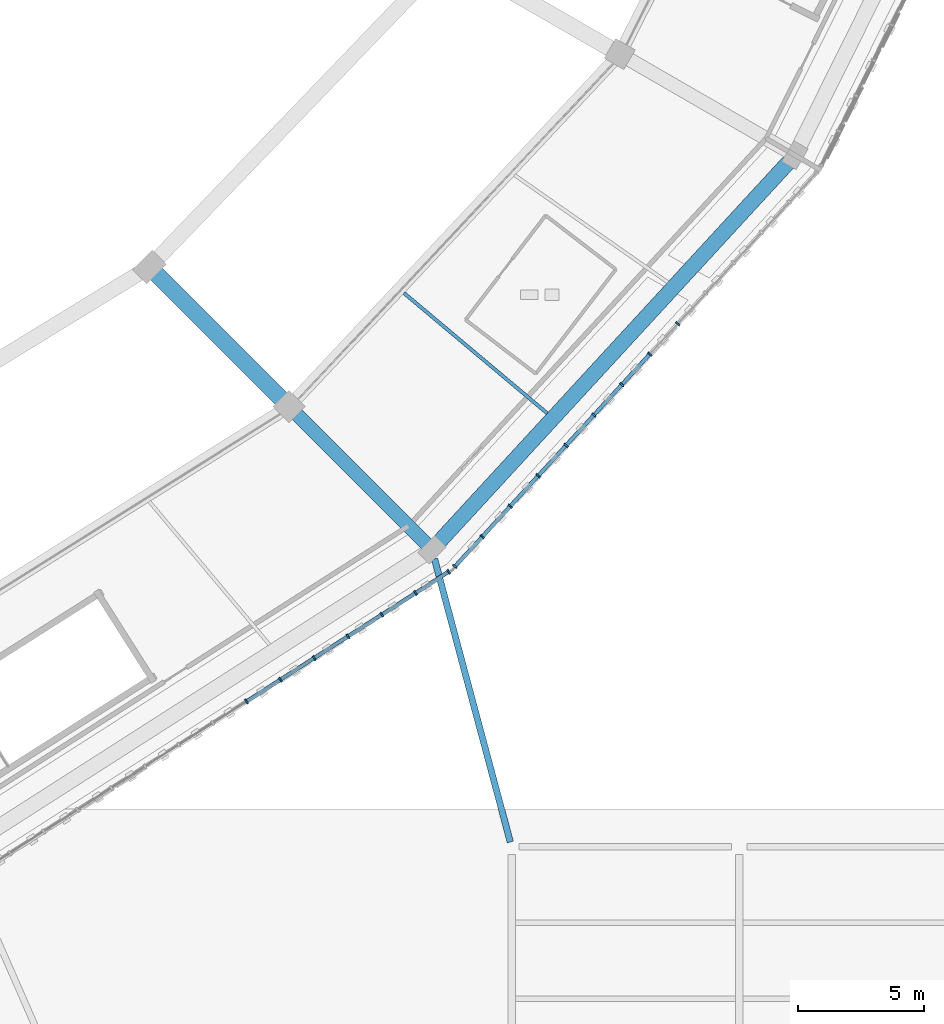
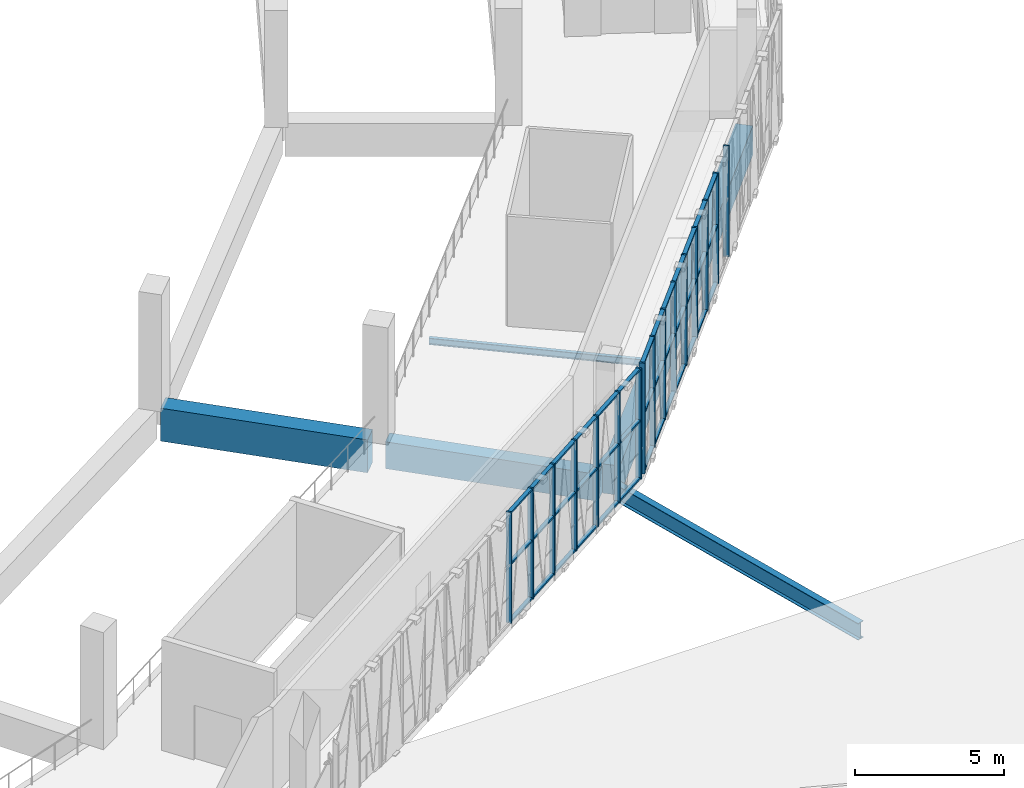
# One storey, part 23 of 108: 55 members, 5 beams, 2 elements without a shape of their own.
"""IFC4 building model written with IfcOpenShell, lengths in metres."""

from ifc_helpers import new_model, si_unit, direction, frame, origin, origin_2d, place, context, subcontext, project, spatial, rectangle, i_section, extrude, material, material_profile, profile_set, type_object, element, aggregate, save


model = new_model("IFC4")

# Units and contexts
model_context = context("Model", 3, precision=1e-05, world=origin(), true_north=direction((0.0, 1.0)))
body_context = subcontext(model_context, "Body", "Model", "MODEL_VIEW")
ifc_project = project(units=[si_unit("LENGTHUNIT", "METRE"), si_unit("AREAUNIT", "SQUARE_METRE"), si_unit("VOLUMEUNIT", "CUBIC_METRE"), si_unit("PLANEANGLEUNIT", "RADIAN"), si_unit("MASSUNIT", "GRAM", prefix="KILO")], contexts=[model_context])

# Site, building, storey
site_placement = place(None, origin())
site = spatial("IfcSite", under=ifc_project, at=site_placement, CompositionType="ELEMENT")
building_placement = place(site_placement, origin())
building = spatial("IfcBuilding", under=site, at=building_placement, Name="Zevraka Park Crest Stadium", CompositionType="ELEMENT")
storey_placement = place(building_placement, frame((0.0, 0.0, 19.800048828125)))
storey = spatial("IfcBuildingStorey", under=building, at=storey_placement, Name="L04", CompositionType="ELEMENT", Elevation=19.800048828125)

# Beams
ifc_material_1 = material(Name="Concrete C40/50", Category="concrete")
ifc_material_profile_1 = material_profile(ifc_material_1, rectangle(XDim=0.64990234375, YDim=1.35009765625, at=origin_2d()), Name="RC 1350x650")
ifc_profile_set_1 = profile_set([ifc_material_profile_1], Name="Concrete C40/50")
beam_type_1 = type_object("IfcBeamType", Name="BG01", PredefinedType="BEAM", material=ifc_profile_set_1)
beam_1_placement = place(storey_placement, frame((164.89111328125, 49.715087890625, -0.68505859375), z_axis=(0.707157639372, -0.707055919343, 0.0), x_axis=(0.707055919343, 0.707157639372, 0.0)))
element("IfcBeam", 1, at=beam_1_placement, inside=storey, type_object=beam_type_1, Name="Radial Girder BG01 L04-BC-21", PredefinedType="BEAM", context=body_context, shape_type="SweptSolid", body=[
    extrude(rectangle(XDim=0.64990234375, YDim=1.35009765625, at=origin_2d()), origin(), (0.0, 0.0, 1.0), 7.200439453125),
])
ifc_material_2 = material(Name="Concrete C40/50", Category="concrete")
ifc_material_profile_2 = material_profile(ifc_material_2, rectangle(XDim=0.550048828125, YDim=1.10009765625, at=origin_2d()), Name="RC 1100x550")
ifc_profile_set_2 = profile_set([ifc_material_profile_2], Name="Concrete C40/50")
beam_type_2 = type_object("IfcBeamType", Name="BG02", PredefinedType="BEAM", material=ifc_profile_set_2)
beam_2_placement = place(storey_placement, frame((170.406982421875, 44.199951171875, -0.56005859375), z_axis=(0.707106781187, -0.707106781187, 0.0), x_axis=(0.707106781187, 0.707106781187, 0.0)))
element("IfcBeam", 2, at=beam_2_placement, inside=storey, type_object=beam_type_2, Name="Radial Girder BG02 L04-CD-21", PredefinedType="BEAM", context=body_context, shape_type="SweptSolid", body=[
    extrude(rectangle(XDim=0.550048828125, YDim=1.10009765625, at=origin_2d()), origin(), (0.0, 0.0, 1.0), 7.400390625),
])
ifc_material_3 = material(Name="Steel S355", Category="steel")
ifc_material_profile_3 = material_profile(ifc_material_3, i_section(OverallWidth=0.253662109375, OverallDepth=0.68359375, WebThickness=0.012451171875, FlangeThickness=0.01904296875, at=origin_2d()), Name="UKB 686x254x140")
ifc_profile_set_3 = profile_set([ifc_material_profile_3], Name="Steel S355")
beam_type_3 = type_object("IfcBeamType", Name="BG05", PredefinedType="BEAM", material=ifc_profile_set_3)
beam_3_placement = place(storey_placement, frame((178.947998046875, 27.193115234375, -0.60986328125), z_axis=(-0.25869045552, 0.96596027259, 0.0), x_axis=(-0.96596027259, -0.25869045552, 0.0)))
element("IfcBeam", 3, at=beam_3_placement, inside=storey, type_object=beam_type_3, Name="Wing Link Girder BG05 L04-20/D", PredefinedType="BEAM", context=body_context, shape_type="SweptSolid", body=[
    extrude(i_section(OverallWidth=0.253662109375, OverallDepth=0.68359375, WebThickness=0.012451171875, FlangeThickness=0.01904296875, at=origin_2d()), origin(), (0.0, 0.0, 1.0), 11.58935546875),
])

# Curtain wall, members
ifc_material_4 = material(Name="Anodised architectural aluminium and laminated safety glass", Category="aluminium")
curtain_wall_type = type_object("IfcCurtainWallType", Name="CW18", PredefinedType="NOTDEFINED", material=ifc_material_4)
curtain_wall_1_placement = place(storey_placement, origin())
curtain_wall_1 = element("IfcCurtainWall", 4, at=curtain_wall_1_placement, inside=storey, type_object=curtain_wall_type, Name="Unitised Ring Curtain Wall CW18 L04-20", PredefinedType="NOTDEFINED")
ifc_material_5 = material(Name="Anodised architectural aluminium", Category="aluminium")
ifc_material_profile_4 = material_profile(ifc_material_5, rectangle(XDim=0.199951171875, YDim=0.070068359375, at=origin_2d()), Name="ALU MULLION 200x70")
ifc_profile_set_4 = profile_set([ifc_material_profile_4], Name="Anodised architectural aluminium")
member_type_1 = type_object("IfcMemberType", Name="CM03", PredefinedType="MULLION", material=ifc_profile_set_4)
member_1_placement = place(storey_placement, frame((168.518798828125, 32.752685546875, 0.0), z_axis=(0.0, 0.0, 1.0), x_axis=(-0.539979944029, 0.841677883781, 0.0)))
member_1 = element("IfcMember", 5, at=member_1_placement, type_object=member_type_1, Name="CW18 mullion 9", PredefinedType="MULLION", context=body_context, shape_type="SweptSolid", body=[
    extrude(rectangle(XDim=0.199951171875, YDim=0.070068359375, at=origin_2d()), origin(), (0.0, 0.0, 1.0), 4.5400390625),
])
member_2_placement = place(storey_placement, frame((169.85546875, 33.610107421875, 0.0), z_axis=(0.0, 0.0, 1.0), x_axis=(-0.539979944029, 0.841677883781, 0.0)))
member_2 = element("IfcMember", 6, at=member_2_placement, type_object=member_type_1, Name="CW18 mullion 10", PredefinedType="MULLION", context=body_context, shape_type="SweptSolid", body=[
    extrude(rectangle(XDim=0.199951171875, YDim=0.070068359375, at=origin_2d()), origin(), (0.0, 0.0, 1.0), 4.5400390625),
])
member_3_placement = place(storey_placement, frame((171.192138671875, 34.4677734375, 0.0), z_axis=(0.0, 0.0, 1.0), x_axis=(-0.539979944029, 0.841677883781, 0.0)))
member_3 = element("IfcMember", 7, at=member_3_placement, type_object=member_type_1, Name="CW18 mullion 11", PredefinedType="MULLION", context=body_context, shape_type="SweptSolid", body=[
    extrude(rectangle(XDim=0.199951171875, YDim=0.070068359375, at=origin_2d()), origin(), (0.0, 0.0, 1.0), 4.5400390625),
])
member_4_placement = place(storey_placement, frame((172.52880859375, 35.3251953125, 0.0), z_axis=(0.0, 0.0, 1.0), x_axis=(-0.539979944029, 0.841677883781, 0.0)))
member_4 = element("IfcMember", 8, at=member_4_placement, type_object=member_type_1, Name="CW18 mullion 12", PredefinedType="MULLION", context=body_context, shape_type="SweptSolid", body=[
    extrude(rectangle(XDim=0.199951171875, YDim=0.070068359375, at=origin_2d()), origin(), (0.0, 0.0, 1.0), 4.5400390625),
])
member_5_placement = place(storey_placement, frame((173.865478515625, 36.182861328125, 0.0), z_axis=(0.0, 0.0, 1.0), x_axis=(-0.539979944029, 0.841677883781, 0.0)))
member_5 = element("IfcMember", 9, at=member_5_placement, type_object=member_type_1, Name="CW18 mullion 13", PredefinedType="MULLION", context=body_context, shape_type="SweptSolid", body=[
    extrude(rectangle(XDim=0.199951171875, YDim=0.070068359375, at=origin_2d()), origin(), (0.0, 0.0, 1.0), 4.5400390625),
])
member_6_placement = place(storey_placement, frame((175.202392578125, 37.04052734375, 0.0), z_axis=(0.0, 0.0, 1.0), x_axis=(-0.539979944029, 0.841677883781, 0.0)))
member_6 = element("IfcMember", 10, at=member_6_placement, type_object=member_type_1, Name="CW18 mullion 14", PredefinedType="MULLION", context=body_context, shape_type="SweptSolid", body=[
    extrude(rectangle(XDim=0.199951171875, YDim=0.070068359375, at=origin_2d()), origin(), (0.0, 0.0, 1.0), 4.5400390625),
])
member_7_placement = place(storey_placement, frame((176.509521484375, 37.879150390625, 0.0), z_axis=(0.0, 0.0, 1.0), x_axis=(-0.539979944029, 0.841677883781, 0.0)))
member_7 = element("IfcMember", 11, at=member_7_placement, type_object=member_type_1, Name="CW18 mullion 15", PredefinedType="MULLION", context=body_context, shape_type="SweptSolid", body=[
    extrude(rectangle(XDim=0.199951171875, YDim=0.070068359375, at=origin_2d()), origin(), (0.0, 0.0, 1.0), 4.5400390625),
])

curtain_wall_2_placement = place(storey_placement, origin())
curtain_wall_2 = element("IfcCurtainWall", 12, at=curtain_wall_2_placement, inside=storey, type_object=curtain_wall_type, Name="Unitised Ring Curtain Wall CW18 L04-21", PredefinedType="NOTDEFINED")
member_8_placement = place(storey_placement, frame((176.759765625, 38.0888671875, 0.0), z_axis=(0.0, 0.0, 1.0), x_axis=(-0.736774619932, 0.676138417355, 0.0)))
member_8 = element("IfcMember", 13, at=member_8_placement, type_object=member_type_1, Name="CW18 mullion 1", PredefinedType="MULLION", context=body_context, shape_type="SweptSolid", body=[
    extrude(rectangle(XDim=0.199951171875, YDim=0.070068359375, at=origin_2d()), origin(), (0.0, 0.0, 1.0), 4.5400390625),
])
member_9_placement = place(storey_placement, frame((177.83984375, 39.265869140625, 0.0), z_axis=(0.0, 0.0, 1.0), x_axis=(-0.736774619932, 0.676138417355, 0.0)))
member_9 = element("IfcMember", 14, at=member_9_placement, type_object=member_type_1, Name="CW18 mullion 2", PredefinedType="MULLION", context=body_context, shape_type="SweptSolid", body=[
    extrude(rectangle(XDim=0.199951171875, YDim=0.070068359375, at=origin_2d()), origin(), (0.0, 0.0, 1.0), 4.5400390625),
])
member_10_placement = place(storey_placement, frame((178.94384765625, 40.46875, 0.0), z_axis=(0.0, 0.0, 1.0), x_axis=(-0.736774619932, 0.676138417355, 0.0)))
member_10 = element("IfcMember", 15, at=member_10_placement, type_object=member_type_1, Name="CW18 mullion 3", PredefinedType="MULLION", context=body_context, shape_type="SweptSolid", body=[
    extrude(rectangle(XDim=0.199951171875, YDim=0.070068359375, at=origin_2d()), origin(), (0.0, 0.0, 1.0), 4.5400390625),
])
member_11_placement = place(storey_placement, frame((180.0478515625, 41.671875, 0.0), z_axis=(0.0, 0.0, 1.0), x_axis=(-0.736774619932, 0.676138417355, 0.0)))
member_11 = element("IfcMember", 16, at=member_11_placement, type_object=member_type_1, Name="CW18 mullion 4", PredefinedType="MULLION", context=body_context, shape_type="SweptSolid", body=[
    extrude(rectangle(XDim=0.199951171875, YDim=0.070068359375, at=origin_2d()), origin(), (0.0, 0.0, 1.0), 4.5400390625),
])
member_12_placement = place(storey_placement, frame((181.151611328125, 42.874755859375, 0.0), z_axis=(0.0, 0.0, 1.0), x_axis=(-0.736774619932, 0.676138417355, 0.0)))
member_12 = element("IfcMember", 17, at=member_12_placement, type_object=member_type_1, Name="CW18 mullion 5", PredefinedType="MULLION", context=body_context, shape_type="SweptSolid", body=[
    extrude(rectangle(XDim=0.199951171875, YDim=0.070068359375, at=origin_2d()), origin(), (0.0, 0.0, 1.0), 4.5400390625),
])
member_13_placement = place(storey_placement, frame((182.255615234375, 44.07763671875, 0.0), z_axis=(0.0, 0.0, 1.0), x_axis=(-0.736774619932, 0.676138417355, 0.0)))
member_13 = element("IfcMember", 18, at=member_13_placement, type_object=member_type_1, Name="CW18 mullion 6", PredefinedType="MULLION", context=body_context, shape_type="SweptSolid", body=[
    extrude(rectangle(XDim=0.199951171875, YDim=0.070068359375, at=origin_2d()), origin(), (0.0, 0.0, 1.0), 4.5400390625),
])
member_14_placement = place(storey_placement, frame((183.359619140625, 45.280517578125, 0.0), z_axis=(0.0, 0.0, 1.0), x_axis=(-0.736774619932, 0.676138417355, 0.0)))
member_14 = element("IfcMember", 19, at=member_14_placement, type_object=member_type_1, Name="CW18 mullion 7", PredefinedType="MULLION", context=body_context, shape_type="SweptSolid", body=[
    extrude(rectangle(XDim=0.199951171875, YDim=0.070068359375, at=origin_2d()), origin(), (0.0, 0.0, 1.0), 4.5400390625),
])
member_15_placement = place(storey_placement, frame((184.46337890625, 46.4833984375, 0.0), z_axis=(0.0, 0.0, 1.0), x_axis=(-0.736774619932, 0.676138417355, 0.0)))
member_15 = element("IfcMember", 20, at=member_15_placement, type_object=member_type_1, Name="CW18 mullion 8", PredefinedType="MULLION", context=body_context, shape_type="SweptSolid", body=[
    extrude(rectangle(XDim=0.199951171875, YDim=0.070068359375, at=origin_2d()), origin(), (0.0, 0.0, 1.0), 4.5400390625),
])
member_16_placement = place(storey_placement, frame((185.5673828125, 47.686279296875, 0.0), z_axis=(0.0, 0.0, 1.0), x_axis=(-0.736774619932, 0.676138417355, 0.0)))
member_16 = element("IfcMember", 21, at=member_16_placement, type_object=member_type_1, Name="CW18 mullion 9", PredefinedType="MULLION", context=body_context, shape_type="SweptSolid", body=[
    extrude(rectangle(XDim=0.199951171875, YDim=0.070068359375, at=origin_2d()), origin(), (0.0, 0.0, 1.0), 4.5400390625),
])

# Member
ifc_material_6 = material(Name="Anodised architectural aluminium", Category="aluminium")
ifc_material_profile_5 = material_profile(ifc_material_6, rectangle(XDim=0.14990234375, YDim=0.070068359375, at=origin_2d()), Name="ALU TRANSOM 150x70")
ifc_profile_set_5 = profile_set([ifc_material_profile_5], Name="Anodised architectural aluminium")
member_type_2 = type_object("IfcMemberType", Name="CT03", PredefinedType="USERDEFINED", material=ifc_profile_set_5)
member_17_placement = place(storey_placement, frame((168.548095703125, 32.771484375, 0.034912109375), z_axis=(0.841669260565, 0.539993384978, 0.0), x_axis=(-0.539993384978, 0.841669260565, 0.0)))
member_17 = element("IfcMember", 22, at=member_17_placement, type_object=member_type_2, Name="CW18 transom 9.1", ObjectType="TRANSOM", PredefinedType="USERDEFINED", context=body_context, shape_type="SweptSolid", body=[
    extrude(rectangle(XDim=0.14990234375, YDim=0.070068359375, at=origin_2d()), origin(), (0.0, 0.0, 1.0), 1.518310546875),
])

member_18_placement = place(storey_placement, frame((168.548095703125, 32.771484375, 2.39990234375), z_axis=(0.841669260565, 0.539993384978, 0.0), x_axis=(-0.539993384978, 0.841669260565, 0.0)))
member_18 = element("IfcMember", 23, at=member_18_placement, type_object=member_type_2, Name="CW18 transom 9.2", ObjectType="TRANSOM", PredefinedType="USERDEFINED", context=body_context, shape_type="SweptSolid", body=[
    extrude(rectangle(XDim=0.14990234375, YDim=0.070068359375, at=origin_2d()), origin(), (0.0, 0.0, 1.0), 1.518310546875),
])

member_19_placement = place(storey_placement, frame((168.548095703125, 32.771484375, 4.5048828125), z_axis=(0.841669260565, 0.539993384978, 0.0), x_axis=(-0.539993384978, 0.841669260565, 0.0)))
member_19 = element("IfcMember", 24, at=member_19_placement, type_object=member_type_2, Name="CW18 transom 9.3", ObjectType="TRANSOM", PredefinedType="USERDEFINED", context=body_context, shape_type="SweptSolid", body=[
    extrude(rectangle(XDim=0.14990234375, YDim=0.070068359375, at=origin_2d()), origin(), (0.0, 0.0, 1.0), 1.518310546875),
])

member_20_placement = place(storey_placement, frame((169.884765625, 33.629150390625, 0.034912109375), z_axis=(0.841742345783, 0.539879452578, 0.0), x_axis=(-0.539879452578, 0.841742345783, 0.0)))
member_20 = element("IfcMember", 25, at=member_20_placement, type_object=member_type_2, Name="CW18 transom 10.1", ObjectType="TRANSOM", PredefinedType="USERDEFINED", context=body_context, shape_type="SweptSolid", body=[
    extrude(rectangle(XDim=0.14990234375, YDim=0.070068359375, at=origin_2d()), origin(), (0.0, 0.0, 1.0), 1.51806640625),
])

member_21_placement = place(storey_placement, frame((169.884765625, 33.629150390625, 2.39990234375), z_axis=(0.841742345783, 0.539879452578, 0.0), x_axis=(-0.539879452578, 0.841742345783, 0.0)))
member_21 = element("IfcMember", 26, at=member_21_placement, type_object=member_type_2, Name="CW18 transom 10.2", ObjectType="TRANSOM", PredefinedType="USERDEFINED", context=body_context, shape_type="SweptSolid", body=[
    extrude(rectangle(XDim=0.14990234375, YDim=0.070068359375, at=origin_2d()), origin(), (0.0, 0.0, 1.0), 1.51806640625),
])

member_22_placement = place(storey_placement, frame((169.884765625, 33.629150390625, 4.5048828125), z_axis=(0.841742345783, 0.539879452578, 0.0), x_axis=(-0.539879452578, 0.841742345783, 0.0)))
member_22 = element("IfcMember", 27, at=member_22_placement, type_object=member_type_2, Name="CW18 transom 10.3", ObjectType="TRANSOM", PredefinedType="USERDEFINED", context=body_context, shape_type="SweptSolid", body=[
    extrude(rectangle(XDim=0.14990234375, YDim=0.070068359375, at=origin_2d()), origin(), (0.0, 0.0, 1.0), 1.51806640625),
])

member_23_placement = place(storey_placement, frame((171.2216796875, 34.486572265625, 0.034912109375), z_axis=(0.841669260565, 0.539993384978, 0.0), x_axis=(-0.539993384978, 0.841669260565, 0.0)))
member_23 = element("IfcMember", 28, at=member_23_placement, type_object=member_type_2, Name="CW18 transom 11.1", ObjectType="TRANSOM", PredefinedType="USERDEFINED", context=body_context, shape_type="SweptSolid", body=[
    extrude(rectangle(XDim=0.14990234375, YDim=0.070068359375, at=origin_2d()), origin(), (0.0, 0.0, 1.0), 1.518310546875),
])

member_24_placement = place(storey_placement, frame((171.2216796875, 34.486572265625, 2.39990234375), z_axis=(0.841669260565, 0.539993384978, 0.0), x_axis=(-0.539993384978, 0.841669260565, 0.0)))
member_24 = element("IfcMember", 29, at=member_24_placement, type_object=member_type_2, Name="CW18 transom 11.2", ObjectType="TRANSOM", PredefinedType="USERDEFINED", context=body_context, shape_type="SweptSolid", body=[
    extrude(rectangle(XDim=0.14990234375, YDim=0.070068359375, at=origin_2d()), origin(), (0.0, 0.0, 1.0), 1.518310546875),
])

member_25_placement = place(storey_placement, frame((171.2216796875, 34.486572265625, 4.5048828125), z_axis=(0.841669260565, 0.539993384978, 0.0), x_axis=(-0.539993384978, 0.841669260565, 0.0)))
member_25 = element("IfcMember", 30, at=member_25_placement, type_object=member_type_2, Name="CW18 transom 11.3", ObjectType="TRANSOM", PredefinedType="USERDEFINED", context=body_context, shape_type="SweptSolid", body=[
    extrude(rectangle(XDim=0.14990234375, YDim=0.070068359375, at=origin_2d()), origin(), (0.0, 0.0, 1.0), 1.518310546875),
])

member_26_placement = place(storey_placement, frame((172.558349609375, 35.34423828125, 0.034912109375), z_axis=(0.841669260565, 0.539993384978, 0.0), x_axis=(-0.539993384978, 0.841669260565, 0.0)))
member_26 = element("IfcMember", 31, at=member_26_placement, type_object=member_type_2, Name="CW18 transom 12.1", ObjectType="TRANSOM", PredefinedType="USERDEFINED", context=body_context, shape_type="SweptSolid", body=[
    extrude(rectangle(XDim=0.14990234375, YDim=0.070068359375, at=origin_2d()), origin(), (0.0, 0.0, 1.0), 1.518310546875),
])

member_27_placement = place(storey_placement, frame((172.558349609375, 35.34423828125, 2.39990234375), z_axis=(0.841669260565, 0.539993384978, 0.0), x_axis=(-0.539993384978, 0.841669260565, 0.0)))
member_27 = element("IfcMember", 32, at=member_27_placement, type_object=member_type_2, Name="CW18 transom 12.2", ObjectType="TRANSOM", PredefinedType="USERDEFINED", context=body_context, shape_type="SweptSolid", body=[
    extrude(rectangle(XDim=0.14990234375, YDim=0.070068359375, at=origin_2d()), origin(), (0.0, 0.0, 1.0), 1.518310546875),
])

member_28_placement = place(storey_placement, frame((172.558349609375, 35.34423828125, 4.5048828125), z_axis=(0.841669260565, 0.539993384978, 0.0), x_axis=(-0.539993384978, 0.841669260565, 0.0)))
member_28 = element("IfcMember", 33, at=member_28_placement, type_object=member_type_2, Name="CW18 transom 12.3", ObjectType="TRANSOM", PredefinedType="USERDEFINED", context=body_context, shape_type="SweptSolid", body=[
    extrude(rectangle(XDim=0.14990234375, YDim=0.070068359375, at=origin_2d()), origin(), (0.0, 0.0, 1.0), 1.518310546875),
])

member_29_placement = place(storey_placement, frame((173.89501953125, 36.20166015625, 0.034912109375), z_axis=(0.841669260565, 0.539993384978, 0.0), x_axis=(-0.539993384978, 0.841669260565, 0.0)))
member_29 = element("IfcMember", 34, at=member_29_placement, type_object=member_type_2, Name="CW18 transom 13.1", ObjectType="TRANSOM", PredefinedType="USERDEFINED", context=body_context, shape_type="SweptSolid", body=[
    extrude(rectangle(XDim=0.14990234375, YDim=0.070068359375, at=origin_2d()), origin(), (0.0, 0.0, 1.0), 1.518310546875),
])

member_30_placement = place(storey_placement, frame((173.89501953125, 36.20166015625, 2.39990234375), z_axis=(0.841669260565, 0.539993384978, 0.0), x_axis=(-0.539993384978, 0.841669260565, 0.0)))
member_30 = element("IfcMember", 35, at=member_30_placement, type_object=member_type_2, Name="CW18 transom 13.2", ObjectType="TRANSOM", PredefinedType="USERDEFINED", context=body_context, shape_type="SweptSolid", body=[
    extrude(rectangle(XDim=0.14990234375, YDim=0.070068359375, at=origin_2d()), origin(), (0.0, 0.0, 1.0), 1.518310546875),
])

member_31_placement = place(storey_placement, frame((173.89501953125, 36.20166015625, 4.5048828125), z_axis=(0.841669260565, 0.539993384978, 0.0), x_axis=(-0.539993384978, 0.841669260565, 0.0)))
member_31 = element("IfcMember", 36, at=member_31_placement, type_object=member_type_2, Name="CW18 transom 13.3", ObjectType="TRANSOM", PredefinedType="USERDEFINED", context=body_context, shape_type="SweptSolid", body=[
    extrude(rectangle(XDim=0.14990234375, YDim=0.070068359375, at=origin_2d()), origin(), (0.0, 0.0, 1.0), 1.518310546875),
])

member_32_placement = place(storey_placement, frame((175.231689453125, 37.059326171875, 0.034912109375), z_axis=(0.84169690548, 0.539950293365, 0.0), x_axis=(-0.539950293365, 0.84169690548, 0.0)))
member_32 = element("IfcMember", 37, at=member_32_placement, type_object=member_type_2, Name="CW18 transom 14.1", ObjectType="TRANSOM", PredefinedType="USERDEFINED", context=body_context, shape_type="SweptSolid", body=[
    extrude(rectangle(XDim=0.14990234375, YDim=0.070068359375, at=origin_2d()), origin(), (0.0, 0.0, 1.0), 1.483154296875),
])

member_33_placement = place(storey_placement, frame((175.231689453125, 37.059326171875, 2.39990234375), z_axis=(0.84169690548, 0.539950293365, 0.0), x_axis=(-0.539950293365, 0.84169690548, 0.0)))
member_33 = element("IfcMember", 38, at=member_33_placement, type_object=member_type_2, Name="CW18 transom 14.2", ObjectType="TRANSOM", PredefinedType="USERDEFINED", context=body_context, shape_type="SweptSolid", body=[
    extrude(rectangle(XDim=0.14990234375, YDim=0.070068359375, at=origin_2d()), origin(), (0.0, 0.0, 1.0), 1.483154296875),
])

member_34_placement = place(storey_placement, frame((175.231689453125, 37.059326171875, 4.5048828125), z_axis=(0.84169690548, 0.539950293365, 0.0), x_axis=(-0.539950293365, 0.84169690548, 0.0)))
member_34 = element("IfcMember", 39, at=member_34_placement, type_object=member_type_2, Name="CW18 transom 14.3", ObjectType="TRANSOM", PredefinedType="USERDEFINED", context=body_context, shape_type="SweptSolid", body=[
    extrude(rectangle(XDim=0.14990234375, YDim=0.070068359375, at=origin_2d()), origin(), (0.0, 0.0, 1.0), 1.483154296875),
])

aggregate(curtain_wall_1, [member_1, member_2, member_3, member_4, member_5, member_6, member_7, member_17, member_18, member_19, member_20, member_21, member_22, member_23, member_24, member_25, member_26, member_27, member_28, member_29, member_30, member_31, member_32, member_33, member_34])

member_35_placement = place(storey_placement, frame((176.783447265625, 38.114501953125, 0.034912109375), z_axis=(0.67600681387, 0.736895370864, 0.0), x_axis=(-0.736895370864, 0.67600681387, 0.0)))
member_35 = element("IfcMember", 40, at=member_35_placement, type_object=member_type_2, Name="CW18 transom 1.1", ObjectType="TRANSOM", PredefinedType="USERDEFINED", context=body_context, shape_type="SweptSolid", body=[
    extrude(rectangle(XDim=0.14990234375, YDim=0.070068359375, at=origin_2d()), origin(), (0.0, 0.0, 1.0), 1.527587890625),
])

member_36_placement = place(storey_placement, frame((176.783447265625, 38.114501953125, 2.39990234375), z_axis=(0.67600681387, 0.736895370864, 0.0), x_axis=(-0.736895370864, 0.67600681387, 0.0)))
member_36 = element("IfcMember", 41, at=member_36_placement, type_object=member_type_2, Name="CW18 transom 1.2", ObjectType="TRANSOM", PredefinedType="USERDEFINED", context=body_context, shape_type="SweptSolid", body=[
    extrude(rectangle(XDim=0.14990234375, YDim=0.070068359375, at=origin_2d()), origin(), (0.0, 0.0, 1.0), 1.527587890625),
])

member_37_placement = place(storey_placement, frame((176.783447265625, 38.114501953125, 4.5048828125), z_axis=(0.67600681387, 0.736895370864, 0.0), x_axis=(-0.736895370864, 0.67600681387, 0.0)))
member_37 = element("IfcMember", 42, at=member_37_placement, type_object=member_type_2, Name="CW18 transom 1.3", ObjectType="TRANSOM", PredefinedType="USERDEFINED", context=body_context, shape_type="SweptSolid", body=[
    extrude(rectangle(XDim=0.14990234375, YDim=0.070068359375, at=origin_2d()), origin(), (0.0, 0.0, 1.0), 1.527587890625),
])

member_38_placement = place(storey_placement, frame((177.863525390625, 39.291748046875, 0.034912109375), z_axis=(0.67614898138, 0.736764925182, 0.0), x_axis=(-0.736764925182, 0.67614898138, 0.0)))
member_38 = element("IfcMember", 43, at=member_38_placement, type_object=member_type_2, Name="CW18 transom 2.1", ObjectType="TRANSOM", PredefinedType="USERDEFINED", context=body_context, shape_type="SweptSolid", body=[
    extrude(rectangle(XDim=0.14990234375, YDim=0.070068359375, at=origin_2d()), origin(), (0.0, 0.0, 1.0), 1.562744140625),
])

member_39_placement = place(storey_placement, frame((177.863525390625, 39.291748046875, 2.39990234375), z_axis=(0.67614898138, 0.736764925182, 0.0), x_axis=(-0.736764925182, 0.67614898138, 0.0)))
member_39 = element("IfcMember", 44, at=member_39_placement, type_object=member_type_2, Name="CW18 transom 2.2", ObjectType="TRANSOM", PredefinedType="USERDEFINED", context=body_context, shape_type="SweptSolid", body=[
    extrude(rectangle(XDim=0.14990234375, YDim=0.070068359375, at=origin_2d()), origin(), (0.0, 0.0, 1.0), 1.562744140625),
])

member_40_placement = place(storey_placement, frame((177.863525390625, 39.291748046875, 4.5048828125), z_axis=(0.67614898138, 0.736764925182, 0.0), x_axis=(-0.736764925182, 0.67614898138, 0.0)))
member_40 = element("IfcMember", 45, at=member_40_placement, type_object=member_type_2, Name="CW18 transom 2.3", ObjectType="TRANSOM", PredefinedType="USERDEFINED", context=body_context, shape_type="SweptSolid", body=[
    extrude(rectangle(XDim=0.14990234375, YDim=0.070068359375, at=origin_2d()), origin(), (0.0, 0.0, 1.0), 1.562744140625),
])

member_41_placement = place(storey_placement, frame((178.967529296875, 40.49462890625, 0.034912109375), z_axis=(0.67614898138, 0.736764925182, 0.0), x_axis=(-0.736764925182, 0.67614898138, 0.0)))
member_41 = element("IfcMember", 46, at=member_41_placement, type_object=member_type_2, Name="CW18 transom 3.1", ObjectType="TRANSOM", PredefinedType="USERDEFINED", context=body_context, shape_type="SweptSolid", body=[
    extrude(rectangle(XDim=0.14990234375, YDim=0.070068359375, at=origin_2d()), origin(), (0.0, 0.0, 1.0), 1.562744140625),
])

member_42_placement = place(storey_placement, frame((178.967529296875, 40.49462890625, 2.39990234375), z_axis=(0.67614898138, 0.736764925182, 0.0), x_axis=(-0.736764925182, 0.67614898138, 0.0)))
member_42 = element("IfcMember", 47, at=member_42_placement, type_object=member_type_2, Name="CW18 transom 3.2", ObjectType="TRANSOM", PredefinedType="USERDEFINED", context=body_context, shape_type="SweptSolid", body=[
    extrude(rectangle(XDim=0.14990234375, YDim=0.070068359375, at=origin_2d()), origin(), (0.0, 0.0, 1.0), 1.562744140625),
])

member_43_placement = place(storey_placement, frame((178.967529296875, 40.49462890625, 4.5048828125), z_axis=(0.67614898138, 0.736764925182, 0.0), x_axis=(-0.736764925182, 0.67614898138, 0.0)))
member_43 = element("IfcMember", 48, at=member_43_placement, type_object=member_type_2, Name="CW18 transom 3.3", ObjectType="TRANSOM", PredefinedType="USERDEFINED", context=body_context, shape_type="SweptSolid", body=[
    extrude(rectangle(XDim=0.14990234375, YDim=0.070068359375, at=origin_2d()), origin(), (0.0, 0.0, 1.0), 1.562744140625),
])

member_44_placement = place(storey_placement, frame((180.071533203125, 41.697509765625, 0.034912109375), z_axis=(0.676064164587, 0.73684275484, 0.0), x_axis=(-0.73684275484, 0.676064164587, 0.0)))
member_44 = element("IfcMember", 49, at=member_44_placement, type_object=member_type_2, Name="CW18 transom 4.1", ObjectType="TRANSOM", PredefinedType="USERDEFINED", context=body_context, shape_type="SweptSolid", body=[
    extrude(rectangle(XDim=0.14990234375, YDim=0.070068359375, at=origin_2d()), origin(), (0.0, 0.0, 1.0), 1.5625),
])

member_45_placement = place(storey_placement, frame((180.071533203125, 41.697509765625, 2.39990234375), z_axis=(0.676064164587, 0.73684275484, 0.0), x_axis=(-0.73684275484, 0.676064164587, 0.0)))
member_45 = element("IfcMember", 50, at=member_45_placement, type_object=member_type_2, Name="CW18 transom 4.2", ObjectType="TRANSOM", PredefinedType="USERDEFINED", context=body_context, shape_type="SweptSolid", body=[
    extrude(rectangle(XDim=0.14990234375, YDim=0.070068359375, at=origin_2d()), origin(), (0.0, 0.0, 1.0), 1.5625),
])

member_46_placement = place(storey_placement, frame((180.071533203125, 41.697509765625, 4.5048828125), z_axis=(0.676064164587, 0.73684275484, 0.0), x_axis=(-0.73684275484, 0.676064164587, 0.0)))
member_46 = element("IfcMember", 51, at=member_46_placement, type_object=member_type_2, Name="CW18 transom 4.3", ObjectType="TRANSOM", PredefinedType="USERDEFINED", context=body_context, shape_type="SweptSolid", body=[
    extrude(rectangle(XDim=0.14990234375, YDim=0.070068359375, at=origin_2d()), origin(), (0.0, 0.0, 1.0), 1.5625),
])

member_47_placement = place(storey_placement, frame((181.17529296875, 42.900390625, 0.034912109375), z_axis=(0.67614898138, 0.736764925182, 0.0), x_axis=(-0.736764925182, 0.67614898138, 0.0)))
member_47 = element("IfcMember", 52, at=member_47_placement, type_object=member_type_2, Name="CW18 transom 5.1", ObjectType="TRANSOM", PredefinedType="USERDEFINED", context=body_context, shape_type="SweptSolid", body=[
    extrude(rectangle(XDim=0.14990234375, YDim=0.070068359375, at=origin_2d()), origin(), (0.0, 0.0, 1.0), 1.562744140625),
])

member_48_placement = place(storey_placement, frame((181.17529296875, 42.900390625, 2.39990234375), z_axis=(0.67614898138, 0.736764925182, 0.0), x_axis=(-0.736764925182, 0.67614898138, 0.0)))
member_48 = element("IfcMember", 53, at=member_48_placement, type_object=member_type_2, Name="CW18 transom 5.2", ObjectType="TRANSOM", PredefinedType="USERDEFINED", context=body_context, shape_type="SweptSolid", body=[
    extrude(rectangle(XDim=0.14990234375, YDim=0.070068359375, at=origin_2d()), origin(), (0.0, 0.0, 1.0), 1.562744140625),
])

member_49_placement = place(storey_placement, frame((181.17529296875, 42.900390625, 4.5048828125), z_axis=(0.67614898138, 0.736764925182, 0.0), x_axis=(-0.736764925182, 0.67614898138, 0.0)))
member_49 = element("IfcMember", 54, at=member_49_placement, type_object=member_type_2, Name="CW18 transom 5.3", ObjectType="TRANSOM", PredefinedType="USERDEFINED", context=body_context, shape_type="SweptSolid", body=[
    extrude(rectangle(XDim=0.14990234375, YDim=0.070068359375, at=origin_2d()), origin(), (0.0, 0.0, 1.0), 1.562744140625),
])

member_50_placement = place(storey_placement, frame((182.279296875, 44.103515625, 0.034912109375), z_axis=(0.676226812884, 0.736693489544, 0.0), x_axis=(-0.736693489544, 0.676226812884, 0.0)))
member_50 = element("IfcMember", 55, at=member_50_placement, type_object=member_type_2, Name="CW18 transom 6.1", ObjectType="TRANSOM", PredefinedType="USERDEFINED", context=body_context, shape_type="SweptSolid", body=[
    extrude(rectangle(XDim=0.14990234375, YDim=0.070068359375, at=origin_2d()), origin(), (0.0, 0.0, 1.0), 1.5625),
])

member_51_placement = place(storey_placement, frame((182.279296875, 44.103515625, 2.39990234375), z_axis=(0.676226812884, 0.736693489544, 0.0), x_axis=(-0.736693489544, 0.676226812884, 0.0)))
member_51 = element("IfcMember", 56, at=member_51_placement, type_object=member_type_2, Name="CW18 transom 6.2", ObjectType="TRANSOM", PredefinedType="USERDEFINED", context=body_context, shape_type="SweptSolid", body=[
    extrude(rectangle(XDim=0.14990234375, YDim=0.070068359375, at=origin_2d()), origin(), (0.0, 0.0, 1.0), 1.5625),
])

member_52_placement = place(storey_placement, frame((182.279296875, 44.103515625, 4.5048828125), z_axis=(0.676226812884, 0.736693489544, 0.0), x_axis=(-0.736693489544, 0.676226812884, 0.0)))
member_52 = element("IfcMember", 57, at=member_52_placement, type_object=member_type_2, Name="CW18 transom 6.3", ObjectType="TRANSOM", PredefinedType="USERDEFINED", context=body_context, shape_type="SweptSolid", body=[
    extrude(rectangle(XDim=0.14990234375, YDim=0.070068359375, at=origin_2d()), origin(), (0.0, 0.0, 1.0), 1.5625),
])

member_53_placement = place(storey_placement, frame((183.38330078125, 45.306396484375, 0.034912109375), z_axis=(0.676064164587, 0.73684275484, 0.0), x_axis=(-0.73684275484, 0.676064164587, 0.0)))
member_53 = element("IfcMember", 58, at=member_53_placement, type_object=member_type_2, Name="CW18 transom 7.1", ObjectType="TRANSOM", PredefinedType="USERDEFINED", context=body_context, shape_type="SweptSolid", body=[
    extrude(rectangle(XDim=0.14990234375, YDim=0.070068359375, at=origin_2d()), origin(), (0.0, 0.0, 1.0), 1.5625),
])

member_54_placement = place(storey_placement, frame((183.38330078125, 45.306396484375, 2.39990234375), z_axis=(0.676064164587, 0.73684275484, 0.0), x_axis=(-0.73684275484, 0.676064164587, 0.0)))
member_54 = element("IfcMember", 59, at=member_54_placement, type_object=member_type_2, Name="CW18 transom 7.2", ObjectType="TRANSOM", PredefinedType="USERDEFINED", context=body_context, shape_type="SweptSolid", body=[
    extrude(rectangle(XDim=0.14990234375, YDim=0.070068359375, at=origin_2d()), origin(), (0.0, 0.0, 1.0), 1.5625),
])

member_55_placement = place(storey_placement, frame((183.38330078125, 45.306396484375, 4.5048828125), z_axis=(0.676064164587, 0.73684275484, 0.0), x_axis=(-0.73684275484, 0.676064164587, 0.0)))
member_55 = element("IfcMember", 60, at=member_55_placement, type_object=member_type_2, Name="CW18 transom 7.3", ObjectType="TRANSOM", PredefinedType="USERDEFINED", context=body_context, shape_type="SweptSolid", body=[
    extrude(rectangle(XDim=0.14990234375, YDim=0.070068359375, at=origin_2d()), origin(), (0.0, 0.0, 1.0), 1.5625),
])

aggregate(curtain_wall_2, [member_8, member_9, member_10, member_11, member_12, member_13, member_14, member_15, member_16, member_35, member_36, member_37, member_38, member_39, member_40, member_41, member_42, member_43, member_44, member_45, member_46, member_47, member_48, member_49, member_50, member_51, member_52, member_53, member_54, member_55])

# Beams
ifc_material_7 = material(Name="Concrete C40/50", Category="concrete")
ifc_material_profile_6 = material_profile(ifc_material_7, rectangle(XDim=0.60009765625, YDim=1.199951171875, at=origin_2d()), Name="RC 1200x600")
ifc_profile_set_6 = profile_set([ifc_material_profile_6], Name="Concrete C40/50")
beam_type_4 = type_object("IfcBeamType", Name="RB01", PredefinedType="BEAM", material=ifc_profile_set_6)
beam_4_placement = place(storey_placement, frame((176.10888671875, 39.034912109375, -0.610107421875), z_axis=(0.677158252403, 0.735837414924, 0.0), x_axis=(-0.735837414924, 0.677158252403, 0.0)))
element("IfcBeam", 61, at=beam_4_placement, inside=storey, type_object=beam_type_4, Name="Ring Beam RB01 L04-D-21", PredefinedType="BEAM", context=body_context, shape_type="SweptSolid", body=[
    extrude(rectangle(XDim=0.60009765625, YDim=1.199951171875, at=origin_2d()), origin(), (0.0, 0.0, 1.0), 20.4326171875),
])
ifc_material_8 = material(Name="Steel S355", Category="steel")
ifc_material_profile_7 = material_profile(ifc_material_8, i_section(OverallWidth=0.135009765625, OverallDepth=0.27001953125, WebThickness=0.006591796875, FlangeThickness=0.01025390625, at=origin_2d()), Name="IPE 270")
ifc_profile_set_7 = profile_set([ifc_material_profile_7], Name="Steel S355")
beam_type_5 = type_object("IfcBeamType", Name="SJ07", PredefinedType="JOIST", material=ifc_profile_set_7)
beam_5_placement = place(storey_placement, frame((174.741943359375, 48.89990234375, -0.403076171875), z_axis=(0.765933630726, -0.642919647642, 0.0), x_axis=(0.642919647642, 0.765933630726, 0.0)))
element("IfcBeam", 62, at=beam_5_placement, inside=storey, type_object=beam_type_5, Name="Floor Joist SJ07 L04-CD-21-1", PredefinedType="JOIST", context=body_context, shape_type="SweptSolid", body=[
    extrude(i_section(OverallWidth=0.135009765625, OverallDepth=0.27001953125, WebThickness=0.006591796875, FlangeThickness=0.01025390625, at=origin_2d()), origin(), (0.0, 0.0, 1.0), 7.398681640625),
])

save(model, "model.ifc")
